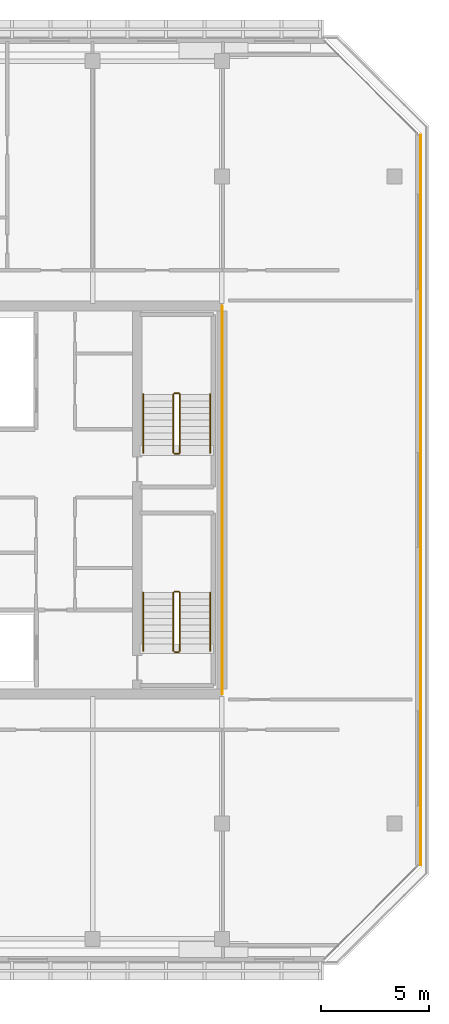
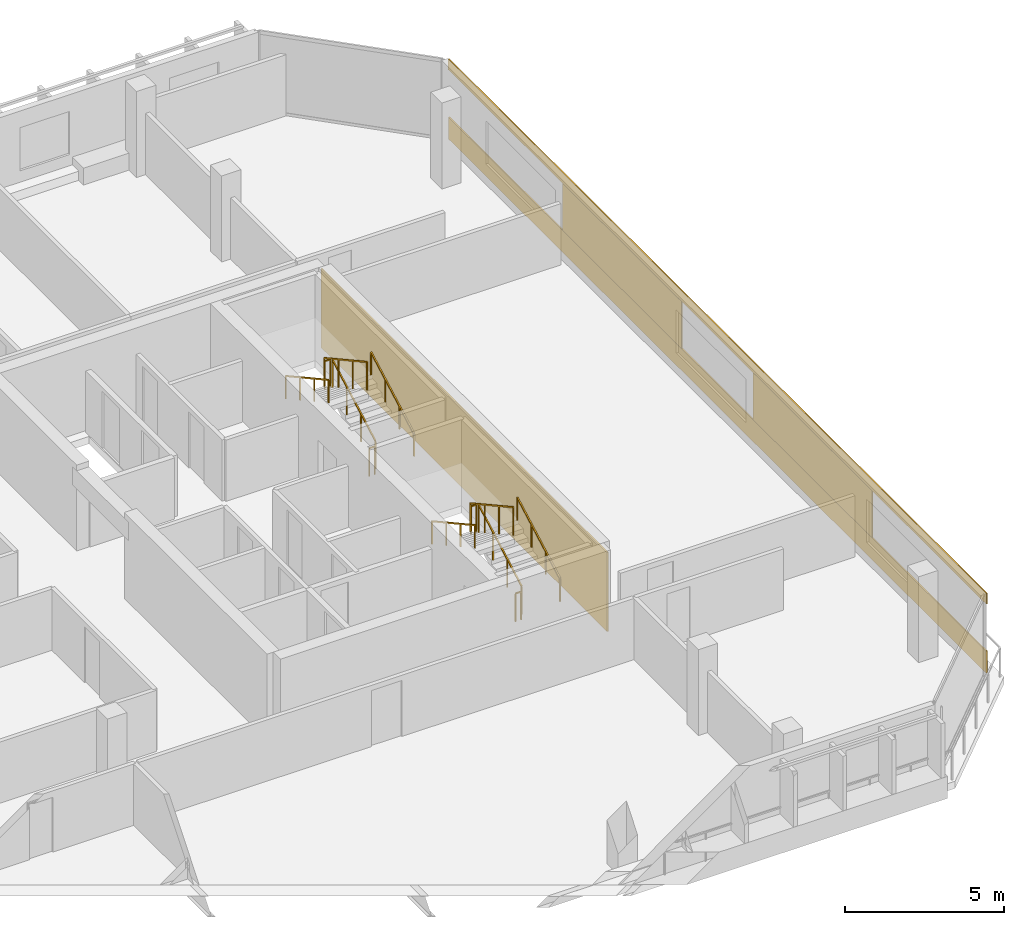
# One storey, part 30 of 30: 12 railings, 5 coverings.
"""IFC4 building model written with IfcOpenShell, lengths in metres."""

from ifc_helpers import new_model, si_unit, direction, frame, origin, origin_2d, place, context, subcontext, project, spatial, rectangle, extrude, material, layer, layer_set, type_object, element, save


model = new_model("IFC4")

# Units and contexts
model_context = context("Model", 3, precision=1e-05, world=origin(), true_north=direction((0.0, 1.0)))
body_context = subcontext(model_context, "Body", "Model", "MODEL_VIEW")
ifc_project = project(units=[si_unit("LENGTHUNIT", "METRE"), si_unit("AREAUNIT", "SQUARE_METRE"), si_unit("VOLUMEUNIT", "CUBIC_METRE"), si_unit("PLANEANGLEUNIT", "RADIAN"), si_unit("MASSUNIT", "GRAM", prefix="KILO")], contexts=[model_context])

# Site, building, storey
site_placement = place(None, origin())
site = spatial("IfcSite", under=ifc_project, at=site_placement, CompositionType="ELEMENT")
building_placement = place(site_placement, origin())
building = spatial("IfcBuilding", under=site, at=building_placement, Name="Tanjung Sevakor Pilgrim Tower", CompositionType="ELEMENT")
storey_placement = place(building_placement, frame((0.0, 0.0, 229.35009765625)))
storey = spatial("IfcBuildingStorey", under=building, at=storey_placement, Name="L64", CompositionType="ELEMENT", Elevation=229.35009765625)

# Coverings
ifc_material_1 = material(Name="Reconstructed Limestone Cladding", Category="masonry")
ifc_layer = layer(ifc_material_1, 0.044921875)
ifc_layer_set = layer_set([ifc_layer], Name="COV-CLAD-LIMESTONE")
covering_type = type_object("IfcCoveringType", Name="COV-CLAD-LIMESTONE", PredefinedType="CLADDING", material=ifc_layer_set)
covering_1_placement = place(storey_placement, frame((99.222412109375, 33.60009765625, 0.009765625), z_axis=(0.0, 0.0, 1.0), x_axis=(0.0, 1.0, 0.0)))
element("IfcCovering", 1, at=covering_1_placement, inside=storey, type_object=covering_type, Name="L64 Warm Limestone Sill Spandrel EW-L64-EAST-3-1", PredefinedType="CLADDING", context=body_context, shape_type="SweptSolid", body=[
    extrude(rectangle(XDim=33.828857421875, YDim=0.044921875, at=origin_2d()), origin(), (0.0, 0.0, 1.0), 0.840087890625),
])
covering_2_placement = place(storey_placement, frame((99.222412109375, 33.60009765625, 2.66015625), z_axis=(0.0, 0.0, 1.0), x_axis=(0.0, 1.0, 0.0)))
element("IfcCovering", 2, at=covering_2_placement, inside=storey, type_object=covering_type, Name="L64 Warm Limestone Cornice Spandrel EW-L64-EAST-3", PredefinedType="CLADDING", context=body_context, shape_type="SweptSolid", body=[
    extrude(rectangle(XDim=33.868896484375, YDim=0.044921875, at=origin_2d()), origin(), (0.0, 0.0, 1.0), 0.409912109375),
])
for number, where, z_axis, x_axis, name in (
    (3, (99.222412109375, 27.60888671875, 0.849853515625), (0.0, 0.0, 1.0), (0.0, 1.0, 0.0), "L64 Warm Limestone Pier Panel EW-L64-EAST-3-1"),
    (4, (99.222412109375, 39.591064453125, 0.849853515625), (0.0, 0.0, 1.0), (0.0, 1.0, 0.0), "L64 Warm Limestone Pier Panel EW-L64-EAST-3-2"),
):
    element("IfcCovering", number, at=place(storey_placement, frame(where, z_axis=z_axis, x_axis=x_axis)), inside=storey, type_object=covering_type, Name=name, PredefinedType="CLADDING", context=body_context, shape_type="SweptSolid", body=[
        extrude(rectangle(XDim=7.482177734375, YDim=0.044921875, at=origin_2d()), origin(), (0.0, 0.0, 1.0), 1.81005859375),
    ])
covering_3_placement = place(storey_placement, frame((90.0224609375, 33.60009765625, 0.019775390625), z_axis=(0.0, 0.0, 1.0), x_axis=(1.0, 0.0, 0.0)))
element("IfcCovering", 5, at=covering_3_placement, inside=storey, type_object=covering_type, Name="L64 Expressed Core Warm Limestone Cladding E", PredefinedType="CLADDING", context=body_context, shape_type="SweptSolid", body=[
    extrude(rectangle(XDim=0.044921875, YDim=18.0, at=origin_2d()), origin(), (0.0, 0.0, 1.0), 3.0400390625),
])

# Railings
ifc_material_2 = material(Name="Steel S355J2", Category="steel")
railing_type_1 = type_object("IfcRailingType", Name="RL-STAIR-GUARD", PredefinedType="GUARDRAIL", material=ifc_material_2)
railing_1_placement = place(storey_placement, frame((88.050048828125, 26.60009765625, 0.164794921875)))
element("IfcRailing", 6, at=railing_1_placement, inside=storey, type_object=railing_type_1, Name="L64 TS-E1 stair guard 1", PredefinedType="GUARDRAIL", context=body_context, shape_type="SweptSolid", body=[
    extrude(rectangle(XDim=0.0479, YDim=0.0479), frame((0.0, 0.0, 1.076171875), z_axis=(0.0, 0.876197507361, 0.481952205197), x_axis=(-1.0, 0.0, 0.0)), (0.0, 0.0, 1.0), 3.08154296875),
    extrude(rectangle(XDim=0.042, YDim=0.042), origin(), (0.0, 0.0, 1.0), 1.052001953125),
    extrude(rectangle(XDim=0.042, YDim=0.042), frame((0.0, 0.89990234375, 0.4951171875)), (0.0, 0.0, 1.0), 1.052001953125),
    extrude(rectangle(XDim=0.042, YDim=0.042), frame((0.0, 1.800048828125, 0.989990234375)), (0.0, 0.0, 1.0), 1.052001953125),
    extrude(rectangle(XDim=0.042, YDim=0.042), frame((0.0, 2.699951171875, 1.485107421875)), (0.0, 0.0, 1.0), 1.052001953125),
])
railing_2_placement = place(storey_placement, frame((88.0, 29.35009765625, 1.64990234375)))
element("IfcRailing", 7, at=railing_2_placement, inside=storey, type_object=railing_type_1, Name="L64 TS-E1 stair guard 2", PredefinedType="GUARDRAIL", context=body_context, shape_type="SweptSolid", body=[
    extrude(rectangle(XDim=0.0479, YDim=0.0479), frame((0.0, 0.0, 1.076171875), z_axis=(-1.0, 0.0, 0.0), x_axis=(0.0, -1.0, 0.0)), (0.0, 0.0, 1.0), 0.199951171875),
    extrude(rectangle(XDim=0.042, YDim=0.042), origin(), (0.0, 0.0, 1.0), 1.052001953125),
    extrude(rectangle(XDim=0.042, YDim=0.042), frame((-0.199951171875, 0.0, 0.0)), (0.0, 0.0, 1.0), 1.052001953125),
])
railing_3_placement = place(storey_placement, frame((87.75, 29.300048828125, 1.81494140625)))
element("IfcRailing", 8, at=railing_3_placement, inside=storey, type_object=railing_type_1, Name="L64 TS-E1 stair guard 3", PredefinedType="GUARDRAIL", context=body_context, shape_type="SweptSolid", body=[
    extrude(rectangle(XDim=0.0479, YDim=0.0479), frame((0.0, 0.0, 1.076171875), z_axis=(0.0, -0.876230963923, 0.481891375584), x_axis=(1.0, 0.0, 0.0)), (0.0, 0.0, 1.0), 3.081298828125),
    extrude(rectangle(XDim=0.042, YDim=0.042), origin(), (0.0, 0.0, 1.0), 1.052001953125),
    extrude(rectangle(XDim=0.042, YDim=0.042), frame((0.0, -0.89990234375, 0.494873046875)), (0.0, 0.0, 1.0), 1.052001953125),
    extrude(rectangle(XDim=0.042, YDim=0.042), frame((0.0, -1.800048828125, 0.989990234375)), (0.0, 0.0, 1.0), 1.052001953125),
    extrude(rectangle(XDim=0.042, YDim=0.042), frame((0.0, -2.699951171875, 1.48486328125)), (0.0, 0.0, 1.0), 1.052001953125),
])
railing_4_placement = place(storey_placement, frame((88.0, 26.550048828125, 0.0)))
element("IfcRailing", 9, at=railing_4_placement, inside=storey, type_object=railing_type_1, Name="L64 TS-E1 stair guard 4", PredefinedType="GUARDRAIL", context=body_context, shape_type="SweptSolid", body=[
    extrude(rectangle(XDim=0.0479, YDim=0.0479), frame((0.0, 0.0, 1.076171875), z_axis=(-1.0, 0.0, 0.0), x_axis=(0.0, -1.0, 0.0)), (0.0, 0.0, 1.0), 0.199951171875),
    extrude(rectangle(XDim=0.042, YDim=0.042), origin(), (0.0, 0.0, 1.0), 1.052001953125),
    extrude(rectangle(XDim=0.042, YDim=0.042), frame((-0.199951171875, 0.0, 0.0)), (0.0, 0.0, 1.0), 1.052001953125),
])
railing_5_placement = place(storey_placement, frame((88.050048828125, 35.800048828125, 0.164794921875)))
element("IfcRailing", 10, at=railing_5_placement, inside=storey, type_object=railing_type_1, Name="L64 TS-E2 stair guard 1", PredefinedType="GUARDRAIL", context=body_context, shape_type="SweptSolid", body=[
    extrude(rectangle(XDim=0.0479, YDim=0.0479), frame((0.0, 0.0, 1.076171875), z_axis=(0.0, 0.876197507361, 0.481952205197), x_axis=(-1.0, 0.0, 0.0)), (0.0, 0.0, 1.0), 3.08154296875),
    extrude(rectangle(XDim=0.042, YDim=0.042), origin(), (0.0, 0.0, 1.0), 1.052001953125),
    extrude(rectangle(XDim=0.042, YDim=0.042), frame((0.0, 0.89990234375, 0.4951171875)), (0.0, 0.0, 1.0), 1.052001953125),
    extrude(rectangle(XDim=0.042, YDim=0.042), frame((0.0, 1.800048828125, 0.989990234375)), (0.0, 0.0, 1.0), 1.052001953125),
    extrude(rectangle(XDim=0.042, YDim=0.042), frame((0.0, 2.699951171875, 1.485107421875)), (0.0, 0.0, 1.0), 1.052001953125),
])
railing_6_placement = place(storey_placement, frame((88.0, 38.550048828125, 1.64990234375)))
element("IfcRailing", 11, at=railing_6_placement, inside=storey, type_object=railing_type_1, Name="L64 TS-E2 stair guard 2", PredefinedType="GUARDRAIL", context=body_context, shape_type="SweptSolid", body=[
    extrude(rectangle(XDim=0.0479, YDim=0.0479), frame((0.0, 0.0, 1.076171875), z_axis=(-1.0, 0.0, 0.0), x_axis=(0.0, -1.0, 0.0)), (0.0, 0.0, 1.0), 0.199951171875),
    extrude(rectangle(XDim=0.042, YDim=0.042), origin(), (0.0, 0.0, 1.0), 1.052001953125),
    extrude(rectangle(XDim=0.042, YDim=0.042), frame((-0.199951171875, 0.0, 0.0)), (0.0, 0.0, 1.0), 1.052001953125),
])
railing_7_placement = place(storey_placement, frame((87.75, 38.5, 1.81494140625)))
element("IfcRailing", 12, at=railing_7_placement, inside=storey, type_object=railing_type_1, Name="L64 TS-E2 stair guard 3", PredefinedType="GUARDRAIL", context=body_context, shape_type="SweptSolid", body=[
    extrude(rectangle(XDim=0.0479, YDim=0.0479), frame((0.0, 0.0, 1.076171875), z_axis=(0.0, -0.876230963923, 0.481891375584), x_axis=(1.0, 0.0, 0.0)), (0.0, 0.0, 1.0), 3.081298828125),
    extrude(rectangle(XDim=0.042, YDim=0.042), origin(), (0.0, 0.0, 1.0), 1.052001953125),
    extrude(rectangle(XDim=0.042, YDim=0.042), frame((0.0, -0.89990234375, 0.494873046875)), (0.0, 0.0, 1.0), 1.052001953125),
    extrude(rectangle(XDim=0.042, YDim=0.042), frame((0.0, -1.800048828125, 0.989990234375)), (0.0, 0.0, 1.0), 1.052001953125),
    extrude(rectangle(XDim=0.042, YDim=0.042), frame((0.0, -2.699951171875, 1.48486328125)), (0.0, 0.0, 1.0), 1.052001953125),
])
railing_8_placement = place(storey_placement, frame((88.0, 35.75, 0.0)))
element("IfcRailing", 13, at=railing_8_placement, inside=storey, type_object=railing_type_1, Name="L64 TS-E2 stair guard 4", PredefinedType="GUARDRAIL", context=body_context, shape_type="SweptSolid", body=[
    extrude(rectangle(XDim=0.0479, YDim=0.0479), frame((0.0, 0.0, 1.076171875), z_axis=(-1.0, 0.0, 0.0), x_axis=(0.0, -1.0, 0.0)), (0.0, 0.0, 1.0), 0.199951171875),
    extrude(rectangle(XDim=0.042, YDim=0.042), origin(), (0.0, 0.0, 1.0), 1.052001953125),
    extrude(rectangle(XDim=0.042, YDim=0.042), frame((-0.199951171875, 0.0, 0.0)), (0.0, 0.0, 1.0), 1.052001953125),
])
ifc_material_3 = material(Name="Steel S355J2", Category="steel")
railing_type_2 = type_object("IfcRailingType", Name="RL-STAIR-HAND", PredefinedType="HANDRAIL", material=ifc_material_3)
railing_9_placement = place(storey_placement, frame((89.449951171875, 26.60009765625, 0.164794921875)))
element("IfcRailing", 14, at=railing_9_placement, inside=storey, type_object=railing_type_2, Name="L64 TS-E1 stair handrail 1", PredefinedType="HANDRAIL", context=body_context, shape_type="SweptSolid", body=[
    extrude(rectangle(XDim=0.0479, YDim=0.0479), frame((0.0, 0.0, 0.8759765625), z_axis=(0.0, 0.876197507361, 0.481952205197), x_axis=(-1.0, 0.0, 0.0)), (0.0, 0.0, 1.0), 3.08154296875),
    extrude(rectangle(XDim=0.042, YDim=0.042), origin(), (0.0, 0.0, 1.0), 0.851806640625),
    extrude(rectangle(XDim=0.042, YDim=0.042), frame((0.0, 0.89990234375, 0.4951171875)), (0.0, 0.0, 1.0), 0.851806640625),
    extrude(rectangle(XDim=0.042, YDim=0.042), frame((0.0, 1.800048828125, 0.989990234375)), (0.0, 0.0, 1.0), 0.851806640625),
    extrude(rectangle(XDim=0.042, YDim=0.042), frame((0.0, 2.699951171875, 1.485107421875)), (0.0, 0.0, 1.0), 0.851806640625),
])
railing_10_placement = place(storey_placement, frame((86.35009765625, 29.300048828125, 1.81494140625)))
element("IfcRailing", 15, at=railing_10_placement, inside=storey, type_object=railing_type_2, Name="L64 TS-E1 stair handrail 2", PredefinedType="HANDRAIL", context=body_context, shape_type="SweptSolid", body=[
    extrude(rectangle(XDim=0.0479, YDim=0.0479), frame((0.0, 0.0, 0.8759765625), z_axis=(0.0, -0.876230963923, 0.481891375584), x_axis=(1.0, 0.0, 0.0)), (0.0, 0.0, 1.0), 3.081298828125),
    extrude(rectangle(XDim=0.042, YDim=0.042), origin(), (0.0, 0.0, 1.0), 0.851806640625),
    extrude(rectangle(XDim=0.042, YDim=0.042), frame((0.0, -0.89990234375, 0.494873046875)), (0.0, 0.0, 1.0), 0.851806640625),
    extrude(rectangle(XDim=0.042, YDim=0.042), frame((0.0, -1.800048828125, 0.989990234375)), (0.0, 0.0, 1.0), 0.851806640625),
    extrude(rectangle(XDim=0.042, YDim=0.042), frame((0.0, -2.699951171875, 1.48486328125)), (0.0, 0.0, 1.0), 0.851806640625),
])
railing_11_placement = place(storey_placement, frame((89.449951171875, 35.800048828125, 0.164794921875)))
element("IfcRailing", 16, at=railing_11_placement, inside=storey, type_object=railing_type_2, Name="L64 TS-E2 stair handrail 1", PredefinedType="HANDRAIL", context=body_context, shape_type="SweptSolid", body=[
    extrude(rectangle(XDim=0.0479, YDim=0.0479), frame((0.0, 0.0, 0.8759765625), z_axis=(0.0, 0.876197507361, 0.481952205197), x_axis=(-1.0, 0.0, 0.0)), (0.0, 0.0, 1.0), 3.08154296875),
    extrude(rectangle(XDim=0.042, YDim=0.042), origin(), (0.0, 0.0, 1.0), 0.851806640625),
    extrude(rectangle(XDim=0.042, YDim=0.042), frame((0.0, 0.89990234375, 0.4951171875)), (0.0, 0.0, 1.0), 0.851806640625),
    extrude(rectangle(XDim=0.042, YDim=0.042), frame((0.0, 1.800048828125, 0.989990234375)), (0.0, 0.0, 1.0), 0.851806640625),
    extrude(rectangle(XDim=0.042, YDim=0.042), frame((0.0, 2.699951171875, 1.485107421875)), (0.0, 0.0, 1.0), 0.851806640625),
])
railing_12_placement = place(storey_placement, frame((86.35009765625, 38.5, 1.81494140625)))
element("IfcRailing", 17, at=railing_12_placement, inside=storey, type_object=railing_type_2, Name="L64 TS-E2 stair handrail 2", PredefinedType="HANDRAIL", context=body_context, shape_type="SweptSolid", body=[
    extrude(rectangle(XDim=0.0479, YDim=0.0479), frame((0.0, 0.0, 0.8759765625), z_axis=(0.0, -0.876230963923, 0.481891375584), x_axis=(1.0, 0.0, 0.0)), (0.0, 0.0, 1.0), 3.081298828125),
    extrude(rectangle(XDim=0.042, YDim=0.042), origin(), (0.0, 0.0, 1.0), 0.851806640625),
    extrude(rectangle(XDim=0.042, YDim=0.042), frame((0.0, -0.89990234375, 0.494873046875)), (0.0, 0.0, 1.0), 0.851806640625),
    extrude(rectangle(XDim=0.042, YDim=0.042), frame((0.0, -1.800048828125, 0.989990234375)), (0.0, 0.0, 1.0), 0.851806640625),
    extrude(rectangle(XDim=0.042, YDim=0.042), frame((0.0, -2.699951171875, 1.48486328125)), (0.0, 0.0, 1.0), 0.851806640625),
])

save(model, "model.ifc")
